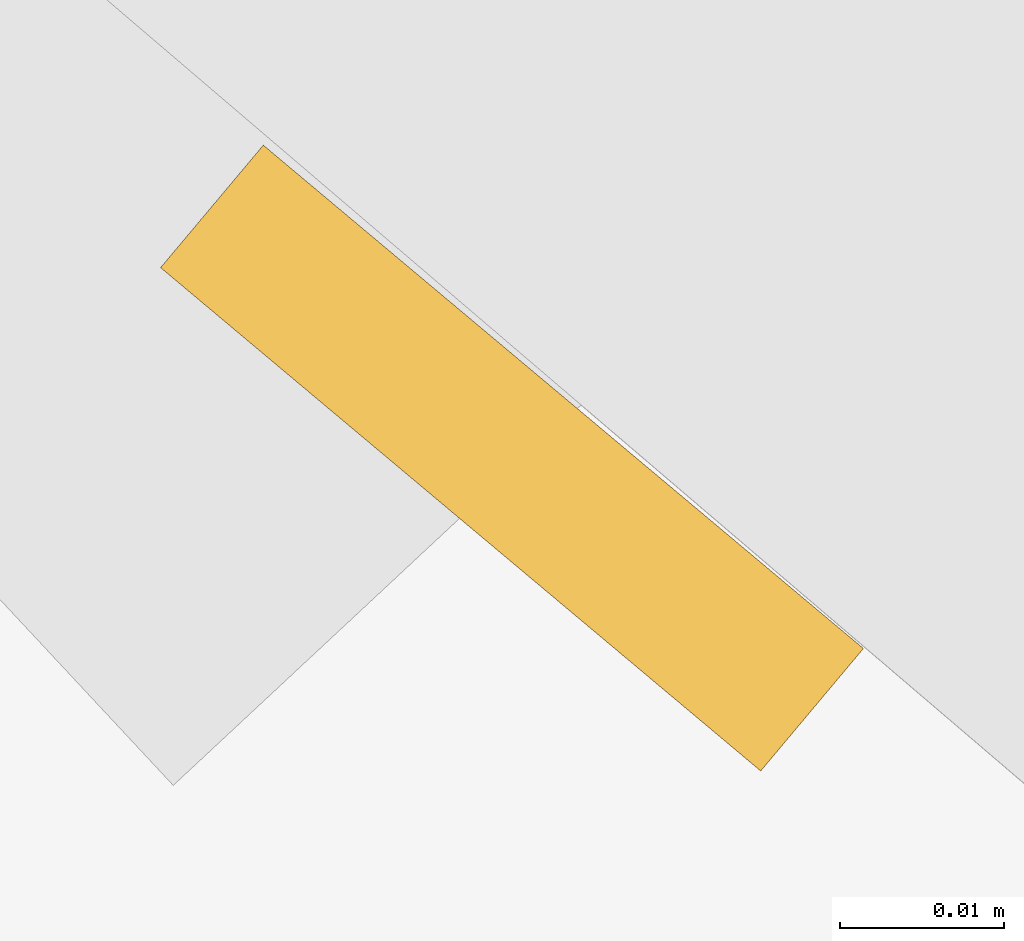
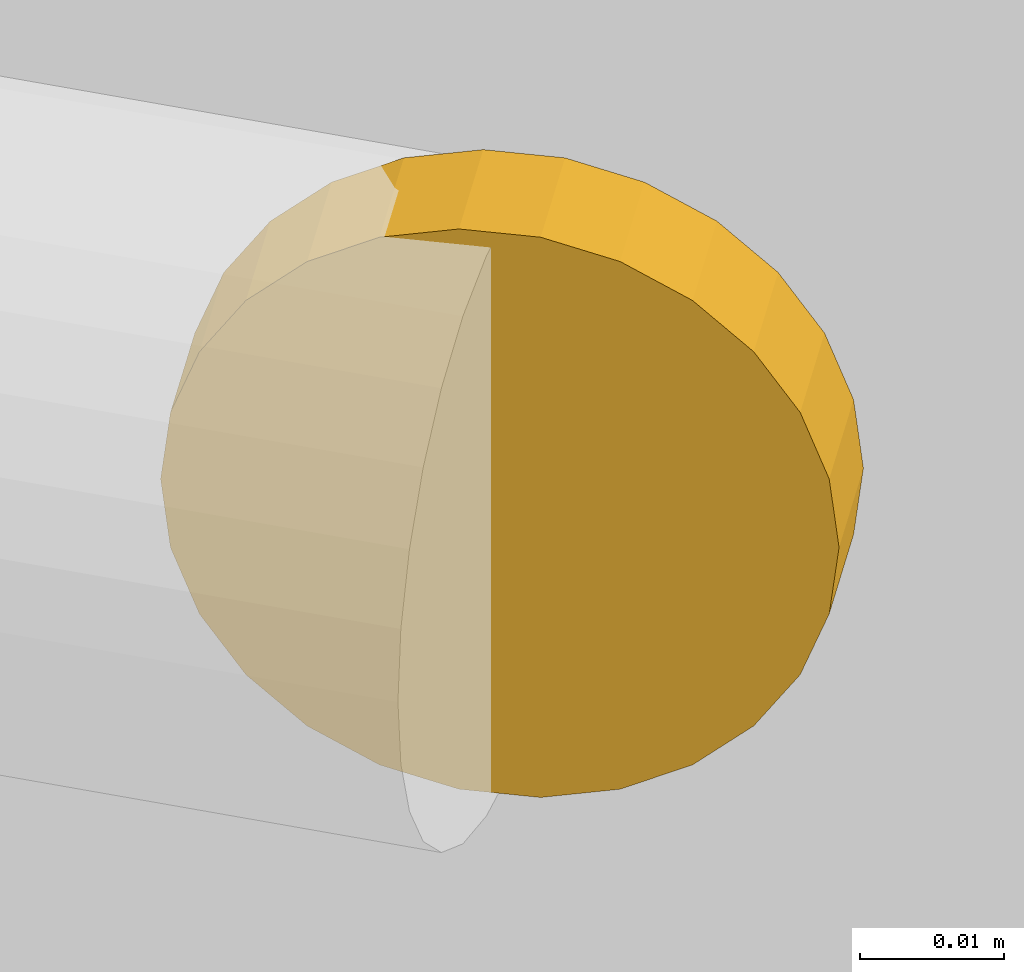
# One storey, part 23 of 25: 1 railing.
"""IFC4 building model written with IfcOpenShell, lengths in metres."""

from ifc_helpers import new_model, si_unit, direction, frame, origin, origin_2d, place, context, subcontext, project, spatial, circle, extrude, material, type_object, element, save


model = new_model("IFC4")

# Units and contexts
model_context = context("Model", 3, precision=1e-05, world=origin(), true_north=direction((0.0, 1.0)))
body_context = subcontext(model_context, "Body", "Model", "MODEL_VIEW")
ifc_project = project(units=[si_unit("LENGTHUNIT", "METRE"), si_unit("AREAUNIT", "SQUARE_METRE"), si_unit("VOLUMEUNIT", "CUBIC_METRE"), si_unit("PLANEANGLEUNIT", "RADIAN"), si_unit("MASSUNIT", "GRAM", prefix="KILO")], contexts=[model_context])

# Site, building, storey
site_placement = place(None, origin())
site = spatial("IfcSite", under=ifc_project, at=site_placement, CompositionType="ELEMENT")
building_placement = place(site_placement, origin())
building = spatial("IfcBuilding", under=site, at=building_placement, Name="Spindle Arch Residences", CompositionType="ELEMENT")
storey_placement = place(building_placement, frame((0.0, 0.0, 151.699951171875)))
storey = spatial("IfcBuildingStorey", under=building, at=storey_placement, Name="L37", CompositionType="ELEMENT", Elevation=151.699951171875)

# Railing
ifc_material = material(Name="Bronze anodised aluminium handrail", Category="aluminium")
railing_type = type_object("IfcRailingType", Name="Terrace handrail 900", PredefinedType="HANDRAIL", material=ifc_material)
railing_placement = place(storey_placement, frame((25.4306640625, 2.639404296875, 0.030029296875)))
element("IfcRailing", 1, at=railing_placement, inside=storey, type_object=railing_type, Name="Terrace handrail L36 8", PredefinedType="HANDRAIL", context=body_context, shape_type="SweptSolid", body=[
    extrude(circle(Radius=0.02392578125, at=origin_2d()), frame((0.0, 0.0, 0.8759765625), z_axis=(0.642612261976, 0.766191543126, 0.0), x_axis=(-0.766191543126, 0.642612261976, 0.0)), (0.0, 0.0, 1.0), 0.009765625),
])

save(model, "model.ifc")
